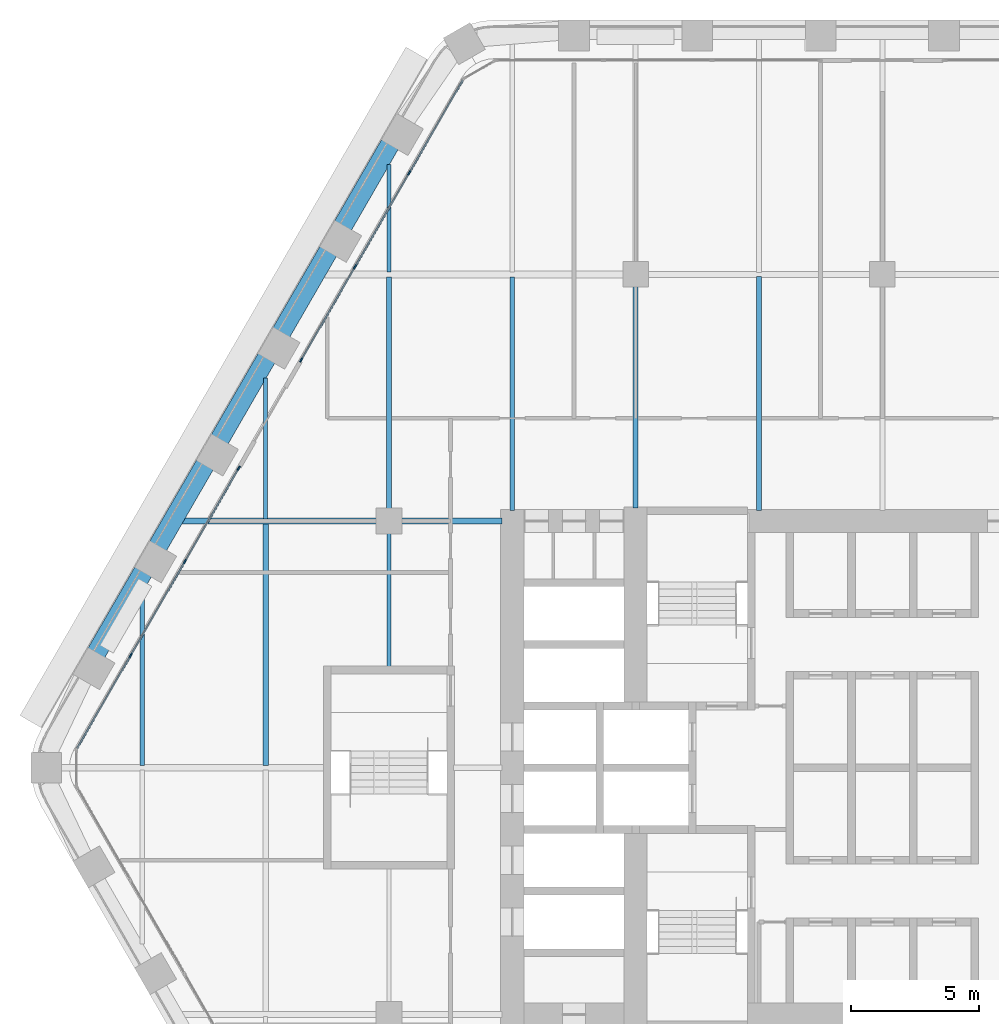
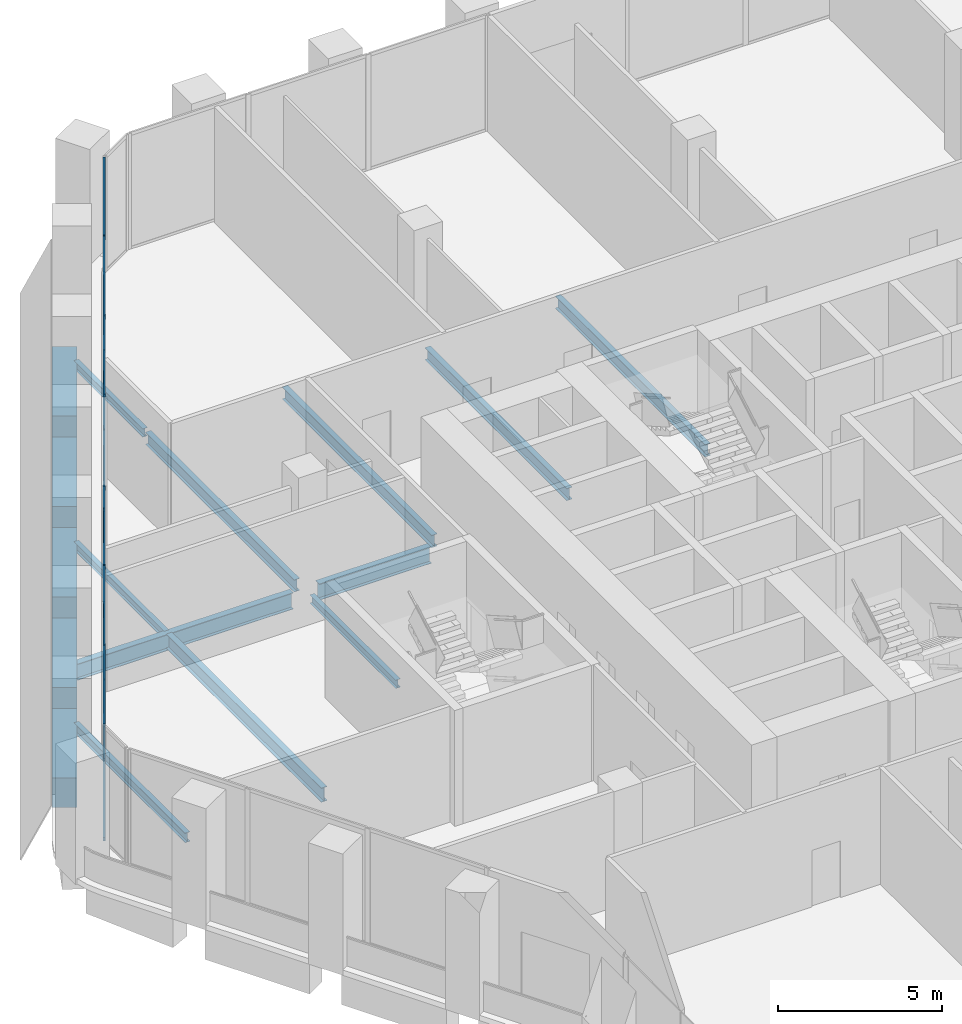
# One storey, part 6 of 22: 18 members, 16 beams, 2 elements without a shape of their own.
"""IFC4 building model written with IfcOpenShell, lengths in metres."""

from ifc_helpers import new_model, si_unit, direction, frame, origin, origin_2d, place, context, subcontext, project, spatial, rectangle, i_section, extrude, material, material_profile, profile_set, type_object, element, aggregate, save


model = new_model("IFC4")

# Units and contexts
model_context = context("Model", 3, precision=1e-05, world=origin(), true_north=direction((0.0, 1.0)))
body_context = subcontext(model_context, "Body", "Model", "MODEL_VIEW")
ifc_project = project(units=[si_unit("LENGTHUNIT", "METRE"), si_unit("AREAUNIT", "SQUARE_METRE"), si_unit("VOLUMEUNIT", "CUBIC_METRE"), si_unit("PLANEANGLEUNIT", "RADIAN"), si_unit("MASSUNIT", "GRAM", prefix="KILO")], contexts=[model_context])

# Site, building, storey
site_placement = place(None, origin())
site = spatial("IfcSite", under=ifc_project, at=site_placement, CompositionType="ELEMENT")
building_placement = place(site_placement, origin())
building = spatial("IfcBuilding", under=site, at=building_placement, Name="Kolab Exchange Tower", CompositionType="ELEMENT")
storey_placement = place(building_placement, frame((0.0, 0.0, 82.39990234375)))
storey = spatial("IfcBuildingStorey", under=building, at=storey_placement, Name="L15", CompositionType="ELEMENT", Elevation=82.39990234375)

# Beams
ifc_material_1 = material(Name="Steel S355", Category="steel")
ifc_material_profile_1 = material_profile(ifc_material_1, i_section(OverallWidth=0.1650390625, OverallDepth=0.31005859375, WebThickness=0.005859375, FlangeThickness=0.009765625, at=origin_2d()), Name="W310X39")
ifc_profile_set_1 = profile_set([ifc_material_profile_1], Name="Steel S355")
beam_type_1 = type_object("IfcBeamType", Name="FLOOR BEAM W310X39", PredefinedType="BEAM", material=ifc_profile_set_1)
beam_1_placement = place(storey_placement, frame((-24.0, 9.674072265625, -0.35498046875), z_axis=(0.0, 1.0, 0.0), x_axis=(-1.0, 0.0, 0.0)))
element("IfcBeam", 1, at=beam_1_placement, inside=storey, type_object=beam_type_1, Name="beam/L15/fr/005", PredefinedType="BEAM", context=body_context, shape_type="SweptSolid", body=[
    extrude(i_section(OverallWidth=0.1650390625, OverallDepth=0.31005859375, WebThickness=0.005859375, FlangeThickness=0.009765625, at=origin_2d()), origin(), (0.0, 0.0, 1.0), 5.49365234375),
])
beam_2_placement = place(storey_placement, frame((-19.199951171875, 3.909912109375, -0.35498046875), z_axis=(0.0, 1.0, 0.0), x_axis=(-1.0, 0.0, 0.0)))
element("IfcBeam", 2, at=beam_2_placement, inside=storey, type_object=beam_type_1, Name="beam/L15/fr/009", PredefinedType="BEAM", context=body_context, shape_type="SweptSolid", body=[
    extrude(i_section(OverallWidth=0.1650390625, OverallDepth=0.31005859375, WebThickness=0.005859375, FlangeThickness=0.009765625, at=origin_2d()), origin(), (0.0, 0.0, 1.0), 5.22998046875),
])
beam_3_placement = place(storey_placement, frame((-19.199951171875, 19.29345703125, -0.35498046875), z_axis=(0.0, 1.0, 0.0), x_axis=(-1.0, 0.0, 0.0)))
element("IfcBeam", 3, at=beam_3_placement, inside=storey, type_object=beam_type_1, Name="beam/L15/fr/011", PredefinedType="BEAM", context=body_context, shape_type="SweptSolid", body=[
    extrude(i_section(OverallWidth=0.1650390625, OverallDepth=0.31005859375, WebThickness=0.005859375, FlangeThickness=0.009765625, at=origin_2d()), origin(), (0.0, 0.0, 1.0), 4.18798828125),
])
ifc_material_profile_2 = material_profile(ifc_material_1, i_section(OverallWidth=0.1708984375, OverallDepth=0.35498046875, WebThickness=0.007080078125, FlangeThickness=0.01171875, at=origin_2d()), Name="W360X51")
ifc_profile_set_2 = profile_set([ifc_material_profile_2], Name="Steel S355")
beam_type_2 = type_object("IfcBeamType", Name="FLOOR BEAM W360X51", PredefinedType="BEAM", material=ifc_profile_set_2)
beam_4_placement = place(storey_placement, frame((-28.800048828125, 0.0869140625, -0.37744140625), z_axis=(0.0, 1.0, 0.0), x_axis=(-1.0, 0.0, 0.0)))
element("IfcBeam", 4, at=beam_4_placement, inside=storey, type_object=beam_type_2, Name="beam/L15/fr/001", PredefinedType="BEAM", context=body_context, shape_type="SweptSolid", body=[
    extrude(i_section(OverallWidth=0.1708984375, OverallDepth=0.35498046875, WebThickness=0.007080078125, FlangeThickness=0.01171875, at=origin_2d()), origin(), (0.0, 0.0, 1.0), 6.766845703125),
])
ifc_material_profile_3 = material_profile(ifc_material_1, i_section(OverallWidth=0.18994140625, OverallDepth=0.45703125, WebThickness=0.009033203125, FlangeThickness=0.014404296875, at=origin_2d()), Name="W460X74")
ifc_profile_set_3 = profile_set([ifc_material_profile_3], Name="Steel S355")
beam_type_3 = type_object("IfcBeamType", Name="FLOOR BEAM W460X74", PredefinedType="BEAM", material=ifc_profile_set_3)
beam_5_placement = place(storey_placement, frame((-19.199951171875, 10.06005859375, -0.428466796875), z_axis=(0.0, 1.0, 0.0), x_axis=(-1.0, 0.0, 0.0)))
element("IfcBeam", 5, at=beam_5_placement, inside=storey, type_object=beam_type_3, Name="beam/L15/fr/010", PredefinedType="BEAM", context=body_context, shape_type="SweptSolid", body=[
    extrude(i_section(OverallWidth=0.18994140625, OverallDepth=0.45703125, WebThickness=0.009033203125, FlangeThickness=0.014404296875, at=origin_2d()), origin(), (0.0, 0.0, 1.0), 9.04638671875),
])
beam_6_placement = place(storey_placement, frame((-14.39990234375, 10.010009765625, -0.428466796875), z_axis=(0.0, 1.0, 0.0), x_axis=(-1.0, 0.0, 0.0)))
element("IfcBeam", 6, at=beam_6_placement, inside=storey, type_object=beam_type_3, Name="beam/L15/fr/014", PredefinedType="BEAM", context=body_context, shape_type="SweptSolid", body=[
    extrude(i_section(OverallWidth=0.18994140625, OverallDepth=0.45703125, WebThickness=0.009033203125, FlangeThickness=0.014404296875, at=origin_2d()), origin(), (0.0, 0.0, 1.0), 9.096435546875),
])
beam_7_placement = place(storey_placement, frame((-9.60009765625, 10.110107421875, -0.428466796875), z_axis=(0.0, 1.0, 0.0), x_axis=(-1.0, 0.0, 0.0)))
element("IfcBeam", 7, at=beam_7_placement, inside=storey, type_object=beam_type_3, Name="beam/L15/fr/018", PredefinedType="BEAM", context=body_context, shape_type="SweptSolid", body=[
    extrude(i_section(OverallWidth=0.18994140625, OverallDepth=0.45703125, WebThickness=0.009033203125, FlangeThickness=0.014404296875, at=origin_2d()), origin(), (0.0, 0.0, 1.0), 8.6298828125),
])
beam_8_placement = place(storey_placement, frame((-4.800048828125, 10.010009765625, -0.428466796875), z_axis=(0.0, 1.0, 0.0), x_axis=(-1.0, 0.0, 0.0)))
element("IfcBeam", 8, at=beam_8_placement, inside=storey, type_object=beam_type_3, Name="beam/L15/fr/022", PredefinedType="BEAM", context=body_context, shape_type="SweptSolid", body=[
    extrude(i_section(OverallWidth=0.18994140625, OverallDepth=0.45703125, WebThickness=0.009033203125, FlangeThickness=0.014404296875, at=origin_2d()), origin(), (0.0, 0.0, 1.0), 9.115966796875),
])
ifc_material_profile_4 = material_profile(ifc_material_1, i_section(OverallWidth=0.208984375, OverallDepth=0.532958984375, WebThickness=0.01025390625, FlangeThickness=0.015625, at=origin_2d()), Name="W530X92")
ifc_profile_set_4 = profile_set([ifc_material_profile_4], Name="Steel S355")
beam_type_4 = type_object("IfcBeamType", Name="FLOOR BEAM W530X92", PredefinedType="BEAM", material=ifc_profile_set_4)
beam_9_placement = place(storey_placement, frame((-24.0, 0.0869140625, -0.46630859375), z_axis=(0.0, 1.0, 0.0), x_axis=(-1.0, 0.0, 0.0)))
element("IfcBeam", 9, at=beam_9_placement, inside=storey, type_object=beam_type_4, Name="beam/L15/fr/004", PredefinedType="BEAM", context=body_context, shape_type="SweptSolid", body=[
    extrude(i_section(OverallWidth=0.208984375, OverallDepth=0.532958984375, WebThickness=0.01025390625, FlangeThickness=0.015625, at=origin_2d()), origin(), (0.0, 0.0, 1.0), 9.43896484375),
])
ifc_material_profile_5 = material_profile(ifc_material_1, i_section(OverallWidth=0.22802734375, OverallDepth=0.60791015625, WebThickness=0.01123046875, FlangeThickness=0.017333984375, at=origin_2d()), Name="W610X113")
ifc_profile_set_5 = profile_set([ifc_material_profile_5], Name="Steel S355")
beam_type_5 = type_object("IfcBeamType", Name="FLOOR GIRDER W610X113", PredefinedType="BEAM", material=ifc_profile_set_5)
beam_10_placement = place(storey_placement, frame((-27.2314453125, 9.60009765625, -0.50390625), z_axis=(1.0, 0.0, 0.0), x_axis=(0.0, 1.0, 0.0)))
element("IfcBeam", 10, at=beam_10_placement, inside=storey, type_object=beam_type_5, Name="beam/L15/gd/002", PredefinedType="BEAM", context=body_context, shape_type="SweptSolid", body=[
    extrude(i_section(OverallWidth=0.22802734375, OverallDepth=0.60791015625, WebThickness=0.01123046875, FlangeThickness=0.017333984375, at=origin_2d()), origin(), (0.0, 0.0, 1.0), 7.571533203125),
])
beam_11_placement = place(storey_placement, frame((-18.739990234375, 9.60009765625, -0.50390625), z_axis=(1.0, 0.0, 0.0), x_axis=(0.0, 1.0, 0.0)))
element("IfcBeam", 11, at=beam_11_placement, inside=storey, type_object=beam_type_5, Name="beam/L15/gd/006", PredefinedType="BEAM", context=body_context, shape_type="SweptSolid", body=[
    extrude(i_section(OverallWidth=0.22802734375, OverallDepth=0.60791015625, WebThickness=0.01123046875, FlangeThickness=0.017333984375, at=origin_2d()), origin(), (0.0, 0.0, 1.0), 3.929931640625),
])
ifc_material_2 = material(Name="Concrete C70/85", Category="concrete")
ifc_material_profile_6 = material_profile(ifc_material_2, rectangle(XDim=0.75, YDim=1.10009765625, at=origin_2d()), Name="RC750X1100")
ifc_profile_set_6 = profile_set([ifc_material_profile_6], Name="Concrete C70/85")
beam_type_6 = type_object("IfcBeamType", Name="SPANDREL BEAM 750X1100 C70/85", PredefinedType="BEAM", material=ifc_profile_set_6)
for number, where, z_axis, x_axis, name in (
    (12, (-30.59521484375, 4.454345703125, -0.75), (0.500013413428, 0.866017659399, 0.0), (-0.866017659399, 0.500013413428, 0.0), "beam/L15/sp/F6-02"),
    (13, (-28.1953125, 8.611328125, -0.75), (0.500013413428, 0.866017659399, 0.0), (-0.866017659399, 0.500013413428, 0.0), "beam/L15/sp/F6-03"),
):
    element("IfcBeam", number, at=place(storey_placement, frame(where, z_axis=z_axis, x_axis=x_axis)), inside=storey, type_object=beam_type_6, Name=name, PredefinedType="BEAM", context=body_context, shape_type="SweptSolid", body=[
        extrude(rectangle(XDim=0.75, YDim=1.10009765625, at=origin_2d()), origin(), (0.0, 0.0, 1.0), 3.68017578125),
    ])
beam_12_placement = place(storey_placement, frame((-25.795166015625, 12.768310546875, -0.75), z_axis=(0.499963655964, 0.866046386007, 0.0), x_axis=(-0.866046386007, 0.499963655964, 0.0)))
element("IfcBeam", 14, at=beam_12_placement, inside=storey, type_object=beam_type_6, Name="beam/L15/sp/F6-04", PredefinedType="BEAM", context=body_context, shape_type="SweptSolid", body=[
    extrude(rectangle(XDim=0.75, YDim=1.10009765625, at=origin_2d()), origin(), (0.0, 0.0, 1.0), 3.679931640625),
])
for number, where, z_axis, x_axis, name in (
    (15, (-23.395263671875, 16.925048828125, -0.75), (0.500013413428, 0.866017659399, 0.0), (-0.866017659399, 0.500013413428, 0.0), "beam/L15/sp/F6-05"),
    (16, (-20.995361328125, 21.08203125, -0.75), (0.500013413428, 0.866017659399, 0.0), (-0.866017659399, 0.500013413428, 0.0), "beam/L15/sp/F6-06"),
):
    element("IfcBeam", number, at=place(storey_placement, frame(where, z_axis=z_axis, x_axis=x_axis)), inside=storey, type_object=beam_type_6, Name=name, PredefinedType="BEAM", context=body_context, shape_type="SweptSolid", body=[
        extrude(rectangle(XDim=0.75, YDim=1.10009765625, at=origin_2d()), origin(), (0.0, 0.0, 1.0), 3.68017578125),
    ])

# Curtain wall, members
ifc_material_3 = material(Name="Aluminium EN AW-6063 T6", Category="aluminium")
curtain_wall_type = type_object("IfcCurtainWallType", Name="UNITISED LOWER MID ZONE CURTAIN WALL", PredefinedType="NOTDEFINED", material=ifc_material_3)
curtain_wall_1_placement = place(storey_placement, origin())
curtain_wall_1 = element("IfcCurtainWall", 17, at=curtain_wall_1_placement, inside=storey, type_object=curtain_wall_type, Name="cw/L15/F6-1", PredefinedType="NOTDEFINED")
ifc_material_profile_7 = material_profile(ifc_material_3, rectangle(XDim=0.06005859375, YDim=0.179931640625, at=origin_2d()), Name="RECT 60X180")
ifc_profile_set_7 = profile_set([ifc_material_profile_7], Name="Aluminium EN AW-6063 T6")
member_type_1 = type_object("IfcMemberType", Name="UNITISED LOWER MID ZONE MULLION 60 X 180", PredefinedType="MULLION", material=ifc_profile_set_7)
member_1_placement = place(storey_placement, frame((-29.25439453125, 4.366943359375, 0.0), z_axis=(0.0, 0.0, 1.0), x_axis=(-0.866025427826, 0.499999958358, 0.0)))
member_1 = element("IfcMember", 18, at=member_1_placement, type_object=member_type_1, Name="CW2 mullion 2", PredefinedType="MULLION", context=body_context, shape_type="SweptSolid", body=[
    extrude(rectangle(XDim=0.06005859375, YDim=0.179931640625, at=origin_2d()), origin(), (0.0, 0.0, 1.0), 4.300048828125),
])
member_2_placement = place(storey_placement, frame((-27.14306640625, 8.02392578125, 0.0), z_axis=(0.0, 0.0, 1.0), x_axis=(-0.866025427826, 0.499999958358, 0.0)))
member_2 = element("IfcMember", 19, at=member_2_placement, type_object=member_type_1, Name="CW2 mullion 3", PredefinedType="MULLION", context=body_context, shape_type="SweptSolid", body=[
    extrude(rectangle(XDim=0.06005859375, YDim=0.179931640625, at=origin_2d()), origin(), (0.0, 0.0, 1.0), 4.300048828125),
])
member_3_placement = place(storey_placement, frame((-25.046630859375, 11.65478515625, 0.0), z_axis=(0.0, 0.0, 1.0), x_axis=(-0.866025427826, 0.499999958358, 0.0)))
member_3 = element("IfcMember", 20, at=member_3_placement, type_object=member_type_1, Name="CW2 mullion 4", PredefinedType="MULLION", context=body_context, shape_type="SweptSolid", body=[
    extrude(rectangle(XDim=0.06005859375, YDim=0.179931640625, at=origin_2d()), origin(), (0.0, 0.0, 1.0), 4.300048828125),
])

curtain_wall_2_placement = place(storey_placement, origin())
curtain_wall_2 = element("IfcCurtainWall", 21, at=curtain_wall_2_placement, inside=storey, type_object=curtain_wall_type, Name="cw/L15/F6-2", PredefinedType="NOTDEFINED")
member_4_placement = place(storey_placement, frame((-22.61669921875, 15.86376953125, 0.0), z_axis=(0.0, 0.0, 1.0), x_axis=(-0.866025393644, 0.500000017564, 0.0)))
member_4 = element("IfcMember", 22, at=member_4_placement, type_object=member_type_1, Name="CW2 mullion 1", PredefinedType="MULLION", context=body_context, shape_type="SweptSolid", body=[
    extrude(rectangle(XDim=0.06005859375, YDim=0.179931640625, at=origin_2d()), origin(), (0.0, 0.0, 1.0), 4.300048828125),
])
member_5_placement = place(storey_placement, frame((-20.520263671875, 19.49462890625, 0.0), z_axis=(0.0, 0.0, 1.0), x_axis=(-0.866025393644, 0.500000017564, 0.0)))
member_5 = element("IfcMember", 23, at=member_5_placement, type_object=member_type_1, Name="CW2 mullion 2", PredefinedType="MULLION", context=body_context, shape_type="SweptSolid", body=[
    extrude(rectangle(XDim=0.06005859375, YDim=0.179931640625, at=origin_2d()), origin(), (0.0, 0.0, 1.0), 4.300048828125),
])
member_6_placement = place(storey_placement, frame((-18.408935546875, 23.151611328125, 0.0), z_axis=(0.0, 0.0, 1.0), x_axis=(-0.866025393644, 0.500000017564, 0.0)))
member_6 = element("IfcMember", 24, at=member_6_placement, type_object=member_type_1, Name="CW2 mullion 3", PredefinedType="MULLION", context=body_context, shape_type="SweptSolid", body=[
    extrude(rectangle(XDim=0.06005859375, YDim=0.179931640625, at=origin_2d()), origin(), (0.0, 0.0, 1.0), 4.300048828125),
])

# Member
ifc_material_profile_8 = material_profile(ifc_material_3, rectangle(XDim=0.06005859375, YDim=0.1201171875, at=origin_2d()), Name="RECT 60X120")
ifc_profile_set_8 = profile_set([ifc_material_profile_8], Name="Aluminium EN AW-6063 T6")
member_type_2 = type_object("IfcMemberType", Name="UNITISED LOWER MID ZONE TRANSOM 60 X 120", PredefinedType="USERDEFINED", material=ifc_profile_set_8)
member_7_placement = place(storey_placement, frame((-31.335693359375, 0.761962890625, 0.030029296875), z_axis=(0.500027577057, 0.866009481578, 0.0), x_axis=(-0.866009481578, 0.500027577057, 0.0)))
member_7 = element("IfcMember", 25, at=member_7_placement, type_object=member_type_2, Name="CW2 transom 1.1", ObjectType="TRANSOM", PredefinedType="USERDEFINED", context=body_context, shape_type="SweptSolid", body=[
    extrude(rectangle(XDim=0.06005859375, YDim=0.1201171875, at=origin_2d()), origin(), (0.0, 0.0, 1.0), 4.132568359375),
])

member_8_placement = place(storey_placement, frame((-31.335693359375, 0.761962890625, 4.27001953125), z_axis=(0.500027577057, 0.866009481578, 0.0), x_axis=(-0.866009481578, 0.500027577057, 0.0)))
member_8 = element("IfcMember", 26, at=member_8_placement, type_object=member_type_2, Name="CW2 transom 1.2", ObjectType="TRANSOM", PredefinedType="USERDEFINED", context=body_context, shape_type="SweptSolid", body=[
    extrude(rectangle(XDim=0.06005859375, YDim=0.1201171875, at=origin_2d()), origin(), (0.0, 0.0, 1.0), 4.132568359375),
])

member_9_placement = place(storey_placement, frame((-29.2392578125, 4.392822265625, 0.030029296875), z_axis=(0.49999322259, 0.866029316688, 0.0), x_axis=(-0.866029316688, 0.49999322259, 0.0)))
member_9 = element("IfcMember", 27, at=member_9_placement, type_object=member_type_2, Name="CW2 transom 2.1", ObjectType="TRANSOM", PredefinedType="USERDEFINED", context=body_context, shape_type="SweptSolid", body=[
    extrude(rectangle(XDim=0.06005859375, YDim=0.1201171875, at=origin_2d()), origin(), (0.0, 0.0, 1.0), 4.16259765625),
])

member_10_placement = place(storey_placement, frame((-29.2392578125, 4.392822265625, 4.27001953125), z_axis=(0.49999322259, 0.866029316688, 0.0), x_axis=(-0.866029316688, 0.49999322259, 0.0)))
member_10 = element("IfcMember", 28, at=member_10_placement, type_object=member_type_2, Name="CW2 transom 2.2", ObjectType="TRANSOM", PredefinedType="USERDEFINED", context=body_context, shape_type="SweptSolid", body=[
    extrude(rectangle(XDim=0.06005859375, YDim=0.1201171875, at=origin_2d()), origin(), (0.0, 0.0, 1.0), 4.16259765625),
])

member_11_placement = place(storey_placement, frame((-27.1279296875, 8.0498046875, 0.030029296875), z_axis=(0.499957688808, 0.866049830784, 0.0), x_axis=(-0.866049830784, 0.499957688808, 0.0)))
member_11 = element("IfcMember", 29, at=member_11_placement, type_object=member_type_2, Name="CW2 transom 3.1", ObjectType="TRANSOM", PredefinedType="USERDEFINED", context=body_context, shape_type="SweptSolid", body=[
    extrude(rectangle(XDim=0.06005859375, YDim=0.1201171875, at=origin_2d()), origin(), (0.0, 0.0, 1.0), 4.132568359375),
])

member_12_placement = place(storey_placement, frame((-27.1279296875, 8.0498046875, 4.27001953125), z_axis=(0.499957688808, 0.866049830784, 0.0), x_axis=(-0.866049830784, 0.499957688808, 0.0)))
member_12 = element("IfcMember", 30, at=member_12_placement, type_object=member_type_2, Name="CW2 transom 3.2", ObjectType="TRANSOM", PredefinedType="USERDEFINED", context=body_context, shape_type="SweptSolid", body=[
    extrude(rectangle(XDim=0.06005859375, YDim=0.1201171875, at=origin_2d()), origin(), (0.0, 0.0, 1.0), 4.132568359375),
])

aggregate(curtain_wall_1, [member_1, member_2, member_3, member_7, member_8, member_9, member_10, member_11, member_12])

member_13_placement = place(storey_placement, frame((-22.6015625, 15.8896484375, 0.030029296875), z_axis=(0.499957688808, 0.866049830784, 0.0), x_axis=(-0.866049830784, 0.499957688808, 0.0)))
member_13 = element("IfcMember", 31, at=member_13_placement, type_object=member_type_2, Name="CW2 transom 1.1", ObjectType="TRANSOM", PredefinedType="USERDEFINED", context=body_context, shape_type="SweptSolid", body=[
    extrude(rectangle(XDim=0.06005859375, YDim=0.1201171875, at=origin_2d()), origin(), (0.0, 0.0, 1.0), 4.132568359375),
])

member_14_placement = place(storey_placement, frame((-22.6015625, 15.8896484375, 4.27001953125), z_axis=(0.499957688808, 0.866049830784, 0.0), x_axis=(-0.866049830784, 0.499957688808, 0.0)))
member_14 = element("IfcMember", 32, at=member_14_placement, type_object=member_type_2, Name="CW2 transom 1.2", ObjectType="TRANSOM", PredefinedType="USERDEFINED", context=body_context, shape_type="SweptSolid", body=[
    extrude(rectangle(XDim=0.06005859375, YDim=0.1201171875, at=origin_2d()), origin(), (0.0, 0.0, 1.0), 4.132568359375),
])

member_15_placement = place(storey_placement, frame((-20.50537109375, 19.5205078125, 0.030029296875), z_axis=(0.49999322259, 0.866029316688, 0.0), x_axis=(-0.866029316688, 0.49999322259, 0.0)))
member_15 = element("IfcMember", 33, at=member_15_placement, type_object=member_type_2, Name="CW2 transom 2.1", ObjectType="TRANSOM", PredefinedType="USERDEFINED", context=body_context, shape_type="SweptSolid", body=[
    extrude(rectangle(XDim=0.06005859375, YDim=0.1201171875, at=origin_2d()), origin(), (0.0, 0.0, 1.0), 4.16259765625),
])

member_16_placement = place(storey_placement, frame((-20.50537109375, 19.5205078125, 4.27001953125), z_axis=(0.49999322259, 0.866029316688, 0.0), x_axis=(-0.866029316688, 0.49999322259, 0.0)))
member_16 = element("IfcMember", 34, at=member_16_placement, type_object=member_type_2, Name="CW2 transom 2.2", ObjectType="TRANSOM", PredefinedType="USERDEFINED", context=body_context, shape_type="SweptSolid", body=[
    extrude(rectangle(XDim=0.06005859375, YDim=0.1201171875, at=origin_2d()), origin(), (0.0, 0.0, 1.0), 4.16259765625),
])

member_17_placement = place(storey_placement, frame((-18.39404296875, 23.177490234375, 0.030029296875), z_axis=(0.500001996123, 0.866024251319, 0.0), x_axis=(-0.866024251319, 0.500001996123, 0.0)))
member_17 = element("IfcMember", 35, at=member_17_placement, type_object=member_type_2, Name="CW2 transom 3.1", ObjectType="TRANSOM", PredefinedType="USERDEFINED", context=body_context, shape_type="SweptSolid", body=[
    extrude(rectangle(XDim=0.06005859375, YDim=0.1201171875, at=origin_2d()), origin(), (0.0, 0.0, 1.0), 4.1328125),
])

member_18_placement = place(storey_placement, frame((-18.39404296875, 23.177490234375, 4.27001953125), z_axis=(0.500001996123, 0.866024251319, 0.0), x_axis=(-0.866024251319, 0.500001996123, 0.0)))
member_18 = element("IfcMember", 36, at=member_18_placement, type_object=member_type_2, Name="CW2 transom 3.2", ObjectType="TRANSOM", PredefinedType="USERDEFINED", context=body_context, shape_type="SweptSolid", body=[
    extrude(rectangle(XDim=0.06005859375, YDim=0.1201171875, at=origin_2d()), origin(), (0.0, 0.0, 1.0), 4.1328125),
])

aggregate(curtain_wall_2, [member_4, member_5, member_6, member_13, member_14, member_15, member_16, member_17, member_18])

save(model, "model.ifc")
